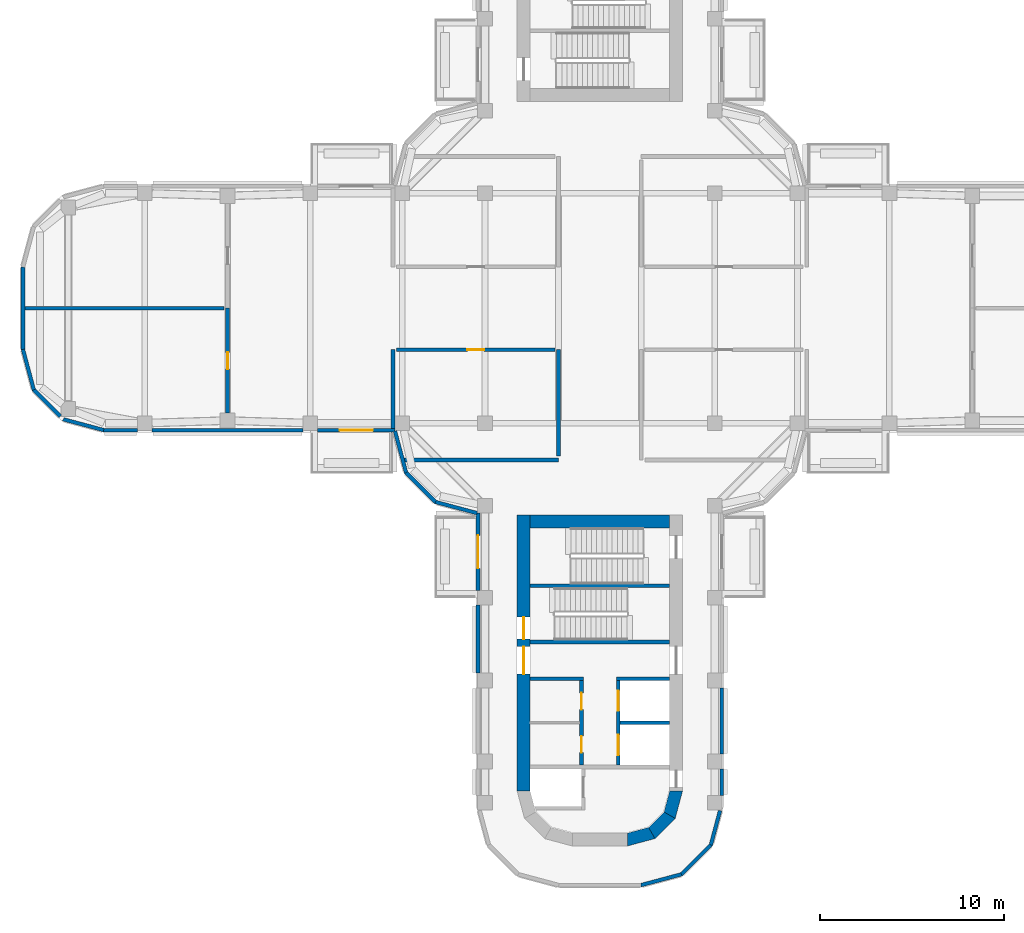
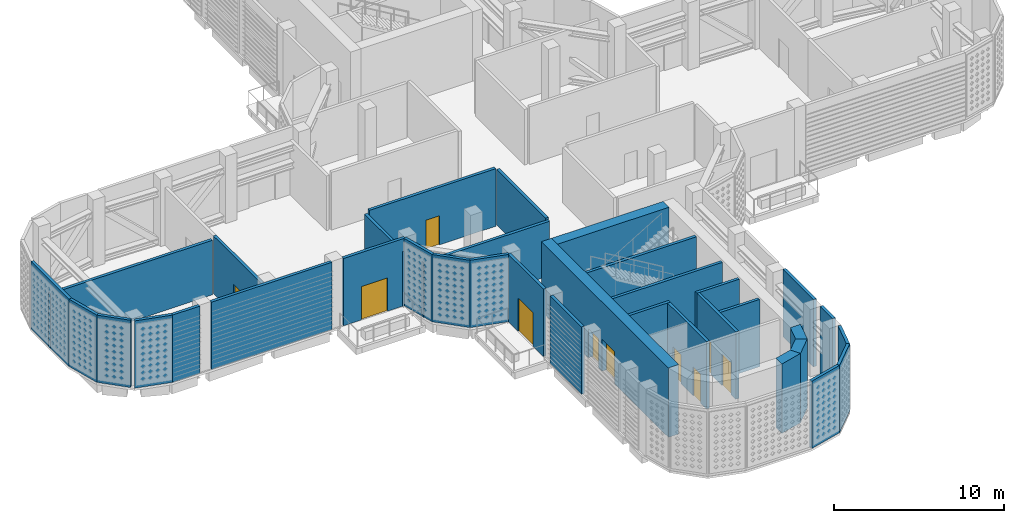
# One storey, part 5 of 21: 35 walls, 10 doors, 10 openings.
"""IFC4 building model written with IfcOpenShell, lengths in metres."""

from ifc_helpers import new_model, si_unit, direction, frame, frame_2d, origin, place, context, subcontext, project, spatial, polyline, rectangle, outline, extrude, material, layer, layer_set, type_object, element, fill, save


model = new_model("IFC4")

# Units and contexts
model_context = context("Model", 3, precision=1e-05, world=origin(), true_north=direction((0.0, 1.0)))
body_context = subcontext(model_context, "Body", "Model", "MODEL_VIEW")
ifc_project = project(units=[si_unit("LENGTHUNIT", "METRE"), si_unit("AREAUNIT", "SQUARE_METRE"), si_unit("VOLUMEUNIT", "CUBIC_METRE"), si_unit("PLANEANGLEUNIT", "RADIAN"), si_unit("MASSUNIT", "GRAM", prefix="KILO")], contexts=[model_context])

# Site, building, storey
site_placement = place(None, origin())
site = spatial("IfcSite", under=ifc_project, at=site_placement, CompositionType="ELEMENT")
building_placement = place(site_placement, origin())
building = spatial("IfcBuilding", under=site, at=building_placement, Name="Zarbagh Exchange Tower", CompositionType="ELEMENT")
storey_placement = place(building_placement, frame((0.0, 0.0, 190.39990234375)))
storey = spatial("IfcBuildingStorey", under=building, at=storey_placement, Name="L46", CompositionType="ELEMENT", Elevation=190.39990234375)

# Walls
ifc_material_1 = material(Name="Concrete block partition", Category="concrete")
ifc_layer_1 = layer(ifc_material_1, 0.199951171875)
ifc_layer_set_1 = layer_set([ifc_layer_1], Name="Fire-rated block partition 200 EI 60")
wall_type_1 = type_object("IfcWallType", Name="Fire-rated block partition 200 EI 60", PredefinedType="PARTITIONING", material=ifc_layer_set_1)
wall_1_placement = place(storey_placement, frame((-10.84814453125, -8.25, 0.0), z_axis=(0.0, 0.0, 1.0), x_axis=(1.0, 0.0, 0.0)))
element("IfcWall", 1, at=wall_1_placement, inside=storey, type_object=wall_type_1, Name="WL-L46-W007", PredefinedType="PARTITIONING", context=body_context, shape_type="SweptSolid", body=[
    extrude(rectangle(XDim=8.59814453125, YDim=0.199951171875, at=frame_2d((4.299072265625, 0.0))), origin(), (0.0, 0.0, 1.0), 3.93017578125),
])
wall_2_placement = place(storey_placement, frame((-2.25, -8.050048828125, 0.0), z_axis=(0.0, 0.0, 1.0), x_axis=(0.0, 1.0, 0.0)))
element("IfcWall", 2, at=wall_2_placement, inside=storey, type_object=wall_type_1, Name="WL-L46-W008", PredefinedType="PARTITIONING", context=body_context, shape_type="SweptSolid", body=[
    extrude(rectangle(XDim=5.800048828125, YDim=0.199951171875, at=frame_2d((2.89990234375, 0.0))), origin(), (0.0, 0.0, 1.0), 3.994384765625),
])
wall_3_placement = place(storey_placement, frame((-11.25, -6.75, 0.0), z_axis=(0.0, 0.0, 1.0), x_axis=(0.0, 1.0, 0.0)))
element("IfcWall", 3, at=wall_3_placement, inside=storey, type_object=wall_type_1, Name="WL-L46-W015", PredefinedType="PARTITIONING", context=body_context, shape_type="SweptSolid", body=[
    extrude(rectangle(XDim=4.5, YDim=0.199951171875, at=frame_2d((2.25, 0.0))), origin(), (0.0, 0.0, 1.0), 3.93017578125),
])

# Wall, opening, door
wall_4_placement = place(storey_placement, frame((-2.449951171875, -2.25, 0.0), z_axis=(0.0, 0.0, 1.0), x_axis=(-1.0, 0.0, 0.0)))
wall_4 = element("IfcWall", 4, at=wall_4_placement, inside=storey, type_object=wall_type_1, Name="WL-L46-W016", PredefinedType="PARTITIONING", context=body_context, shape_type="SweptSolid", body=[
    extrude(rectangle(XDim=8.60009765625, YDim=0.199951171875, at=frame_2d((4.300048828125, 0.0))), origin(), (0.0, 0.0, 1.0), 4.15185546875),
])
opening_1_placement = place(wall_4_placement, frame((3.85009765625, 0.0, 0.0)))
opening_1 = element("IfcOpeningElement", 5, at=opening_1_placement, cuts=wall_4, Name="Opening D04", PredefinedType="OPENING", context=body_context, shape_type="SweptSolid", body=[
    extrude(rectangle(XDim=0.89990234375, YDim=2.10009765625, at=frame_2d((0.449951171875, 1.050048828125))), frame((0.0, 0.10986328125, 0.0), z_axis=(0.0, -1.0, 0.0), x_axis=(1.0, 0.0, 0.0)), (0.0, 0.0, 1.0), 0.219970703125),
])
ifc_material_2 = material(Name="Steel door set", Category="steel")
door_type_1 = type_object("IfcDoorType", Name="Door single 900x2100 EI 60", OperationType="SINGLE_SWING_LEFT", PredefinedType="DOOR", material=ifc_material_2)
door_1_placement = place(opening_1_placement, origin())
door_1 = element("IfcDoor", 6, at=door_1_placement, inside=storey, type_object=door_type_1, Name="D04", OperationType="SINGLE_SWING_LEFT", OverallHeight=2.10009765625, OverallWidth=0.89990234375, PredefinedType="DOOR", context=body_context, shape_type="SweptSolid", body=[
    extrude(rectangle(XDim=0.89990234375, YDim=2.10009765625, at=frame_2d((0.449951171875, 1.050048828125))), frame((0.0, 0.02490234375, 0.0), z_axis=(0.0, -1.0, 0.0), x_axis=(1.0, 0.0, 0.0)), (0.0, 0.0, 1.0), 0.050048828125),
])
fill(opening_1, door_1)

wall_5_placement = place(storey_placement, frame((-20.25, -5.7099609375, 0.0), z_axis=(0.0, 0.0, 1.0), x_axis=(0.0, 1.0, 0.0)))
wall_5 = element("IfcWall", 7, at=wall_5_placement, inside=storey, type_object=wall_type_1, Name="WL-L46-W021", PredefinedType="PARTITIONING", context=body_context, shape_type="SweptSolid", body=[
    extrude(rectangle(XDim=5.7099609375, YDim=0.199951171875, at=frame_2d((2.85498046875, 0.0))), origin(), (0.0, 0.0, 1.0), 4.15185546875),
])
opening_2_placement = place(wall_5_placement, frame((2.405029296875, 0.0, 0.0)))
opening_2 = element("IfcOpeningElement", 8, at=opening_2_placement, cuts=wall_5, Name="Opening D08", PredefinedType="OPENING", context=body_context, shape_type="SweptSolid", body=[
    extrude(rectangle(XDim=0.89990234375, YDim=2.10009765625, at=frame_2d((0.449951171875, 1.050048828125))), frame((0.0, 0.10986328125, 0.0), z_axis=(0.0, -1.0, 0.0), x_axis=(1.0, 0.0, 0.0)), (0.0, 0.0, 1.0), 0.219970703125),
])
door_2_placement = place(opening_2_placement, origin())
door_2 = element("IfcDoor", 9, at=door_2_placement, inside=storey, type_object=door_type_1, Name="D08", OperationType="SINGLE_SWING_LEFT", OverallHeight=2.10009765625, OverallWidth=0.89990234375, PredefinedType="DOOR", context=body_context, shape_type="SweptSolid", body=[
    extrude(rectangle(XDim=0.89990234375, YDim=2.10009765625, at=frame_2d((0.449951171875, 1.050048828125))), frame((0.0, 0.02490234375, 0.0), z_axis=(0.0, -1.0, 0.0), x_axis=(1.0, 0.0, 0.0)), (0.0, 0.0, 1.0), 0.050048828125),
])
fill(opening_2, door_2)

# Walls
wall_6_placement = place(storey_placement, frame((-20.449951171875, 0.0, 0.0), z_axis=(0.0, 0.0, 1.0), x_axis=(-1.0, 0.0, 0.0)))
element("IfcWall", 10, at=wall_6_placement, inside=storey, type_object=wall_type_1, Name="WL-L46-W022", PredefinedType="PARTITIONING", context=body_context, shape_type="SweptSolid", body=[
    extrude(rectangle(XDim=11.050048828125, YDim=0.199951171875, at=frame_2d((5.52490234375, 0.0))), origin(), (0.0, 0.0, 1.0), 3.93017578125),
])
ifc_material_3 = material(Name="Precast concrete C50/60", Category="concrete")
ifc_layer_2 = layer(ifc_material_3, 0.199951171875)
ifc_layer_set_2 = layer_set([ifc_layer_2], Name="Plant wall, precast concrete C50/60")
wall_type_2 = type_object("IfcWallType", Name="Plant wall, precast concrete C50/60", PredefinedType="SOLIDWALL", material=ifc_layer_set_2)
wall_7_placement = place(storey_placement, origin())
element("IfcWall", 11, at=wall_7_placement, inside=storey, type_object=wall_type_2, Name="PW67 plant wall", PredefinedType="SOLIDWALL", context=body_context, shape_type="SweptSolid", body=[
    extrude(outline(polyline([(2.247314453125, -31.47998046875), (4.48974609375, -30.879150390625), (4.38623046875, -30.699951171875), (2.220947265625, -31.280029296875), (2.247314453125, -31.47998046875)])), origin(), (0.0, 0.0, 1.0), 4.85009765625),
])
wall_8_placement = place(storey_placement, origin())
element("IfcWall", 12, at=wall_8_placement, inside=storey, type_object=wall_type_2, Name="PW68 plant wall", PredefinedType="SOLIDWALL", context=body_context, shape_type="SweptSolid", body=[
    extrude(outline(polyline([(4.48974609375, -30.879150390625), (6.129150390625, -29.23974609375), (5.949951171875, -29.13623046875), (4.38623046875, -30.699951171875), (4.48974609375, -30.879150390625)])), origin(), (0.0, 0.0, 1.0), 4.85009765625),
])
wall_9_placement = place(storey_placement, origin())
element("IfcWall", 13, at=wall_9_placement, inside=storey, type_object=wall_type_2, Name="PW69 plant wall", PredefinedType="SOLIDWALL", context=body_context, shape_type="SweptSolid", body=[
    extrude(outline(polyline([(6.129150390625, -29.23974609375), (6.634765625, -27.352294921875), (6.441650390625, -27.300537109375), (5.949951171875, -29.13623046875), (6.129150390625, -29.23974609375)])), origin(), (0.0, 0.0, 1.0), 4.85009765625),
])
wall_10_placement = place(storey_placement, origin())
element("IfcWall", 14, at=wall_10_placement, inside=storey, type_object=wall_type_2, Name="PW70 plant wall", PredefinedType="SOLIDWALL", context=body_context, shape_type="SweptSolid", body=[
    extrude(outline(polyline([(6.72998046875, -26.5), (6.72998046875, -25.050048828125), (6.530029296875, -25.050048828125), (6.530029296875, -26.5), (6.72998046875, -26.5)])), origin(), (0.0, 0.0, 1.0), 4.85009765625),
])
wall_11_placement = place(storey_placement, origin())
element("IfcWall", 15, at=wall_11_placement, inside=storey, type_object=wall_type_2, Name="PW70 plant wall", PredefinedType="SOLIDWALL", context=body_context, shape_type="SweptSolid", body=[
    extrude(outline(polyline([(6.72998046875, -24.25), (6.72998046875, -20.64990234375), (6.530029296875, -20.64990234375), (6.530029296875, -24.25), (6.72998046875, -24.25)])), origin(), (0.0, 0.0, 1.0), 4.85009765625),
])
wall_12_placement = place(storey_placement, origin())
element("IfcWall", 16, at=wall_12_placement, inside=storey, type_object=wall_type_2, Name="PW75 plant wall", PredefinedType="SOLIDWALL", context=body_context, shape_type="SweptSolid", body=[
    extrude(outline(polyline([(-31.47998046875, 2.247314453125), (-31.47998046875, -2.247314453125), (-31.280029296875, -2.220947265625), (-31.280029296875, 2.220947265625), (-31.47998046875, 2.247314453125)])), origin(), (0.0, 0.0, 1.0), 4.85009765625),
])
wall_13_placement = place(storey_placement, origin())
element("IfcWall", 17, at=wall_13_placement, inside=storey, type_object=wall_type_2, Name="PW76 plant wall", PredefinedType="SOLIDWALL", context=body_context, shape_type="SweptSolid", body=[
    extrude(outline(polyline([(-31.47998046875, -2.247314453125), (-30.879150390625, -4.48974609375), (-30.699951171875, -4.38623046875), (-31.280029296875, -2.220947265625), (-31.47998046875, -2.247314453125)])), origin(), (0.0, 0.0, 1.0), 4.85009765625),
])
wall_14_placement = place(storey_placement, origin())
element("IfcWall", 18, at=wall_14_placement, inside=storey, type_object=wall_type_2, Name="PW77 plant wall", PredefinedType="SOLIDWALL", context=body_context, shape_type="SweptSolid", body=[
    extrude(outline(polyline([(-30.879150390625, -4.48974609375), (-29.418701171875, -5.9501953125), (-29.27734375, -5.80859375), (-30.699951171875, -4.38623046875), (-30.879150390625, -4.48974609375)])), origin(), (0.0, 0.0, 1.0), 4.85009765625),
])
wall_15_placement = place(storey_placement, origin())
element("IfcWall", 19, at=wall_15_placement, inside=storey, type_object=wall_type_2, Name="PW78 plant wall", PredefinedType="SOLIDWALL", context=body_context, shape_type="SweptSolid", body=[
    extrude(outline(polyline([(-29.23974609375, -6.129150390625), (-26.997314453125, -6.72998046875), (-26.970947265625, -6.530029296875), (-29.13623046875, -5.949951171875), (-29.23974609375, -6.129150390625)])), origin(), (0.0, 0.0, 1.0), 4.85009765625),
])
wall_16_placement = place(storey_placement, origin())
element("IfcWall", 20, at=wall_16_placement, inside=storey, type_object=wall_type_2, Name="PW79 plant wall", PredefinedType="SOLIDWALL", context=body_context, shape_type="SweptSolid", body=[
    extrude(outline(polyline([(-26.997314453125, -6.72998046875), (-25.14990234375, -6.72998046875), (-25.14990234375, -6.530029296875), (-26.970947265625, -6.530029296875), (-26.997314453125, -6.72998046875)])), origin(), (0.0, 0.0, 1.0), 4.85009765625),
])
wall_17_placement = place(storey_placement, origin())
element("IfcWall", 21, at=wall_17_placement, inside=storey, type_object=wall_type_2, Name="PW79 plant wall", PredefinedType="SOLIDWALL", context=body_context, shape_type="SweptSolid", body=[
    extrude(outline(polyline([(-24.35009765625, -6.72998046875), (-16.14990234375, -6.72998046875), (-16.14990234375, -6.530029296875), (-24.35009765625, -6.530029296875), (-24.35009765625, -6.72998046875)])), origin(), (0.0, 0.0, 1.0), 4.85009765625),
])
wall_18_placement = place(storey_placement, origin())
element("IfcWall", 22, at=wall_18_placement, inside=storey, type_object=wall_type_2, Name="PW41 plant wall", PredefinedType="SOLIDWALL", context=body_context, shape_type="SweptSolid", body=[
    extrude(outline(polyline([(-11.241943359375, -6.702392578125), (-10.629150390625, -8.98974609375), (-10.449951171875, -8.88623046875), (-11.048828125, -6.650634765625), (-11.241943359375, -6.702392578125)])), origin(), (0.0, 0.0, 1.0), 4.85009765625),
])
wall_19_placement = place(storey_placement, origin())
element("IfcWall", 23, at=wall_19_placement, inside=storey, type_object=wall_type_2, Name="PW42 plant wall", PredefinedType="SOLIDWALL", context=body_context, shape_type="SweptSolid", body=[
    extrude(outline(polyline([(-10.629150390625, -8.98974609375), (-8.98974609375, -10.629150390625), (-8.88623046875, -10.449951171875), (-10.449951171875, -8.88623046875), (-10.629150390625, -8.98974609375)])), origin(), (0.0, 0.0, 1.0), 4.85009765625),
])
wall_20_placement = place(storey_placement, origin())
element("IfcWall", 24, at=wall_20_placement, inside=storey, type_object=wall_type_2, Name="PW43 plant wall", PredefinedType="SOLIDWALL", context=body_context, shape_type="SweptSolid", body=[
    extrude(outline(polyline([(-8.98974609375, -10.629150390625), (-6.702392578125, -11.241943359375), (-6.650634765625, -11.048828125), (-8.88623046875, -10.449951171875), (-8.98974609375, -10.629150390625)])), origin(), (0.0, 0.0, 1.0), 4.85009765625),
])
wall_21_placement = place(storey_placement, origin())
element("IfcWall", 25, at=wall_21_placement, inside=storey, type_object=wall_type_2, Name="PW80 plant wall", PredefinedType="SOLIDWALL", context=body_context, shape_type="SweptSolid", body=[
    extrude(outline(polyline([(-6.72998046875, -16.14990234375), (-6.72998046875, -19.85009765625), (-6.530029296875, -19.85009765625), (-6.530029296875, -16.14990234375), (-6.72998046875, -16.14990234375)])), origin(), (0.0, 0.0, 1.0), 4.85009765625),
])
ifc_material_4 = material(Name="Concrete C50/60", Category="concrete")
ifc_layer_3 = layer(ifc_material_4, 0.699951171875)
ifc_layer_set_3 = layer_set([ifc_layer_3], Name="RC core corner wall 700 C50/60")
wall_type_3 = type_object("IfcWallType", Name="RC core corner wall 700 C50/60", PredefinedType="SHEAR", material=ifc_layer_set_3)
wall_22_placement = place(storey_placement, origin())
element("IfcWall", 26, at=wall_22_placement, inside=storey, type_object=wall_type_3, Name="CW6 core S corner E", PredefinedType="SHEAR", context=body_context, shape_type="SweptSolid", body=[
    extrude(outline(polyline([(4.5, -26.25), (4.09814453125, -27.75), (3.491943359375, -27.39990234375), (3.800048828125, -26.25), (4.5, -26.25)])), origin(), (0.0, 0.0, 1.0), 5.0),
])
wall_23_placement = place(storey_placement, origin())
element("IfcWall", 27, at=wall_23_placement, inside=storey, type_object=wall_type_3, Name="CW6 core S corner E", PredefinedType="SHEAR", context=body_context, shape_type="SweptSolid", body=[
    extrude(outline(polyline([(4.09814453125, -27.75), (3.0, -28.84814453125), (2.64990234375, -28.241943359375), (3.491943359375, -27.39990234375), (4.09814453125, -27.75)])), origin(), (0.0, 0.0, 1.0), 5.0),
])
wall_24_placement = place(storey_placement, origin())
element("IfcWall", 28, at=wall_24_placement, inside=storey, type_object=wall_type_3, Name="CW6 core S corner E", PredefinedType="SHEAR", context=body_context, shape_type="SweptSolid", body=[
    extrude(outline(polyline([(3.0, -28.84814453125), (1.5, -29.25), (1.5, -28.550048828125), (2.64990234375, -28.241943359375), (3.0, -28.84814453125)])), origin(), (0.0, 0.0, 1.0), 5.0),
])

# Wall, openings, doors
ifc_layer_4 = layer(ifc_material_4, 0.699951171875)
ifc_layer_set_4 = layer_set([ifc_layer_4], Name="RC core wall 700 C50/60")
wall_type_4 = type_object("IfcWallType", Name="RC core wall 700 C50/60", PredefinedType="SHEAR", material=ifc_layer_set_4)
wall_25_placement = place(storey_placement, frame((-4.14990234375, -11.25, 0.0), z_axis=(0.0, 0.0, 1.0), x_axis=(0.0, -1.0, 0.0)))
wall_25 = element("IfcWall", 29, at=wall_25_placement, inside=storey, type_object=wall_type_4, Name="CW5 core S W", PredefinedType="SHEAR", context=body_context, shape_type="SweptSolid", body=[
    extrude(rectangle(XDim=15.0, YDim=0.699951171875, at=frame_2d((7.5, 0.0))), origin(), (0.0, 0.0, 1.0), 5.0),
])
opening_3_placement = place(wall_25_placement, frame((7.14990234375, 0.0, 0.0)))
opening_3 = element("IfcOpeningElement", 30, at=opening_3_placement, cuts=wall_25, Name="Opening CD1-1500", PredefinedType="OPENING", context=body_context, shape_type="SweptSolid", body=[
    extrude(rectangle(XDim=1.5, YDim=2.300048828125, at=frame_2d((0.75, 1.14990234375))), frame((0.0, 0.35986328125, 0.0), z_axis=(0.0, -1.0, 0.0), x_axis=(1.0, 0.0, 0.0)), (0.0, 0.0, 1.0), 0.719970703125),
])
opening_4_placement = place(wall_25_placement, frame((5.550048828125, 0.0, 0.0)))
opening_4 = element("IfcOpeningElement", 31, at=opening_4_placement, cuts=wall_25, Name="Opening SD1-1200", PredefinedType="OPENING", context=body_context, shape_type="SweptSolid", body=[
    extrude(rectangle(XDim=1.199951171875, YDim=2.10009765625, at=frame_2d((0.60009765625, 1.050048828125))), frame((0.0, 0.35986328125, 0.0), z_axis=(0.0, -1.0, 0.0), x_axis=(1.0, 0.0, 0.0)), (0.0, 0.0, 1.0), 0.719970703125),
])
ifc_material_5 = material(Name="Steel", Category="steel")
door_type_2 = type_object("IfcDoorType", Name="Exit stair door 1200 x 2100", OperationType="NOTDEFINED", PredefinedType="DOOR", material=ifc_material_5)
door_3_placement = place(opening_4_placement, origin())
door_3 = element("IfcDoor", 32, at=door_3_placement, inside=storey, type_object=door_type_2, Name="South core stair door ST1", OperationType="SINGLE_SWING_RIGHT", OverallHeight=2.10009765625, OverallWidth=1.199951171875, PredefinedType="DOOR", context=body_context, shape_type="SweptSolid", body=[
    extrude(rectangle(XDim=1.199951171875, YDim=2.10009765625, at=frame_2d((0.60009765625, 1.050048828125))), frame((0.0, 0.02490234375, 0.0), z_axis=(0.0, -1.0, 0.0), x_axis=(1.0, 0.0, 0.0)), (0.0, 0.0, 1.0), 0.050048828125),
])
fill(opening_4, door_3)
door_type_3 = type_object("IfcDoorType", Name="Lift lobby double door 1500 x 2300", OperationType="NOTDEFINED", PredefinedType="DOOR", material=ifc_material_5)
door_4_placement = place(opening_3_placement, origin())
door_4 = element("IfcDoor", 33, at=door_4_placement, inside=storey, type_object=door_type_3, Name="South core lift lobby door LOBBY-E", OperationType="DOUBLE_DOOR_SINGLE_SWING", OverallHeight=2.300048828125, OverallWidth=1.5, PredefinedType="DOOR", context=body_context, shape_type="SweptSolid", body=[
    extrude(rectangle(XDim=1.5, YDim=2.300048828125, at=frame_2d((0.75, 1.14990234375))), frame((0.0, 0.02490234375, 0.0), z_axis=(0.0, -1.0, 0.0), x_axis=(1.0, 0.0, 0.0)), (0.0, 0.0, 1.0), 0.050048828125),
])
fill(opening_3, door_4)

# Walls
wall_26_placement = place(storey_placement, frame((-3.800048828125, -11.60009765625, 0.0), z_axis=(0.0, 0.0, 1.0), x_axis=(1.0, 0.0, 0.0)))
element("IfcWall", 34, at=wall_26_placement, inside=storey, type_object=wall_type_4, Name="CW5 core S inner end", PredefinedType="SHEAR", context=body_context, shape_type="SweptSolid", body=[
    extrude(rectangle(XDim=7.60009765625, YDim=0.699951171875, at=frame_2d((3.800048828125, 0.0))), origin(), (0.0, 0.0, 1.0), 5.0),
])
ifc_material_6 = material(Name="Dense blockwork", Category="masonry")
ifc_layer_5 = layer(ifc_material_6, 0.199951171875)
ifc_layer_set_5 = layer_set([ifc_layer_5], Name="Shaft wall 200 mm blockwork")
wall_type_5 = type_object("IfcWallType", Name="Shaft wall 200 mm blockwork", PredefinedType="PARTITIONING", material=ifc_layer_set_5)
wall_27_placement = place(storey_placement, frame((3.800048828125, -20.14990234375, 0.0), z_axis=(0.0, 0.0, 1.0), x_axis=(-1.0, 0.0, 0.0)))
element("IfcWall", 35, at=wall_27_placement, inside=storey, type_object=wall_type_5, Name="South core shaft wall AB-W", PredefinedType="PARTITIONING", context=body_context, shape_type="SweptSolid", body=[
    extrude(rectangle(XDim=2.900146484375, YDim=0.199951171875, at=frame_2d((1.4501953125, 0.0))), origin(), (0.0, 0.0, 1.0), 4.85009765625),
])

# Wall, openings, doors
wall_28_placement = place(storey_placement, frame((1.0, -24.85009765625, 0.0), z_axis=(0.0, 0.0, 1.0), x_axis=(0.0, 1.0, 0.0)))
wall_28 = element("IfcWall", 36, at=wall_28_placement, inside=storey, type_object=wall_type_5, Name="South core shaft wall LW-W", PredefinedType="PARTITIONING", context=body_context, shape_type="SweptSolid", body=[
    extrude(rectangle(XDim=4.60009765625, YDim=0.199951171875, at=frame_2d((2.300048828125, 0.0))), origin(), (0.0, 0.0, 1.0), 4.85009765625),
])
opening_5_placement = place(wall_28_placement, frame((0.550048828125, 0.0, 0.0)))
opening_5 = element("IfcOpeningElement", 37, at=opening_5_placement, cuts=wall_28, Name="Opening LD-1100", PredefinedType="OPENING", context=body_context, shape_type="SweptSolid", body=[
    extrude(rectangle(XDim=1.10009765625, YDim=2.300048828125, at=frame_2d((0.550048828125, 1.14990234375))), frame((0.0, 0.10986328125, 0.0), z_axis=(0.0, -1.0, 0.0), x_axis=(1.0, 0.0, 0.0)), (0.0, 0.0, 1.0), 0.219970703125),
])
opening_6_placement = place(wall_28_placement, frame((2.949951171875, 0.0, 0.0)))
opening_6 = element("IfcOpeningElement", 38, at=opening_6_placement, cuts=wall_28, Name="Opening LD-1100", PredefinedType="OPENING", context=body_context, shape_type="SweptSolid", body=[
    extrude(rectangle(XDim=1.10009765625, YDim=2.300048828125, at=frame_2d((0.550048828125, 1.14990234375))), frame((0.0, 0.10986328125, 0.0), z_axis=(0.0, -1.0, 0.0), x_axis=(1.0, 0.0, 0.0)), (0.0, 0.0, 1.0), 0.219970703125),
])
ifc_material_7 = material(Name="Stainless steel", Category="steel")
door_type_4 = type_object("IfcDoorType", Name="Lift landing door 1100 x 2300", OperationType="NOTDEFINED", PredefinedType="DOOR", material=ifc_material_7)
door_5_placement = place(opening_5_placement, origin())
door_5 = element("IfcDoor", 39, at=door_5_placement, inside=storey, type_object=door_type_4, Name="South core lift landing door LD-P-S1", OperationType="DOUBLE_DOOR_SLIDING", OverallHeight=2.300048828125, OverallWidth=1.10009765625, PredefinedType="DOOR", context=body_context, shape_type="SweptSolid", body=[
    extrude(rectangle(XDim=1.10009765625, YDim=2.300048828125, at=frame_2d((0.550048828125, 1.14990234375))), frame((0.0, 0.02490234375, 0.0), z_axis=(0.0, -1.0, 0.0), x_axis=(1.0, 0.0, 0.0)), (0.0, 0.0, 1.0), 0.050048828125),
])
fill(opening_5, door_5)
door_6_placement = place(opening_6_placement, origin())
door_6 = element("IfcDoor", 40, at=door_6_placement, inside=storey, type_object=door_type_4, Name="South core lift landing door LD-P-S2", OperationType="DOUBLE_DOOR_SLIDING", OverallHeight=2.300048828125, OverallWidth=1.10009765625, PredefinedType="DOOR", context=body_context, shape_type="SweptSolid", body=[
    extrude(rectangle(XDim=1.10009765625, YDim=2.300048828125, at=frame_2d((0.550048828125, 1.14990234375))), frame((0.0, 0.02490234375, 0.0), z_axis=(0.0, -1.0, 0.0), x_axis=(1.0, 0.0, 0.0)), (0.0, 0.0, 1.0), 0.050048828125),
])
fill(opening_6, door_6)

# Wall
wall_29_placement = place(storey_placement, frame((-0.89990234375, -20.14990234375, 0.0), z_axis=(0.0, 0.0, 1.0), x_axis=(-1.0, 0.0, 0.0)))
element("IfcWall", 41, at=wall_29_placement, inside=storey, type_object=wall_type_5, Name="South core shaft wall AB-E", PredefinedType="PARTITIONING", context=body_context, shape_type="SweptSolid", body=[
    extrude(rectangle(XDim=2.900146484375, YDim=0.199951171875, at=frame_2d((1.4501953125, 0.0))), origin(), (0.0, 0.0, 1.0), 4.85009765625),
])

# Wall, openings, doors
wall_30_placement = place(storey_placement, frame((-1.0, -24.85009765625, 0.0), z_axis=(0.0, 0.0, 1.0), x_axis=(0.0, 1.0, 0.0)))
wall_30 = element("IfcWall", 42, at=wall_30_placement, inside=storey, type_object=wall_type_5, Name="South core shaft wall LW-E", PredefinedType="PARTITIONING", context=body_context, shape_type="SweptSolid", body=[
    extrude(rectangle(XDim=4.60009765625, YDim=0.199951171875, at=frame_2d((2.300048828125, 0.0))), origin(), (0.0, 0.0, 1.0), 4.85009765625),
])
opening_7_placement = place(wall_30_placement, frame((0.675048828125, 0.0, 0.0)))
opening_7 = element("IfcOpeningElement", 43, at=opening_7_placement, cuts=wall_30, Name="Opening CD3-900", PredefinedType="OPENING", context=body_context, shape_type="SweptSolid", body=[
    extrude(rectangle(XDim=0.89990234375, YDim=2.10009765625, at=frame_2d((0.449951171875, 1.050048828125))), frame((0.0, 0.10986328125, 0.0), z_axis=(0.0, -1.0, 0.0), x_axis=(1.0, 0.0, 0.0)), (0.0, 0.0, 1.0), 0.219970703125),
])
opening_8_placement = place(wall_30_placement, frame((3.02490234375, 0.0, 0.0)))
opening_8 = element("IfcOpeningElement", 44, at=opening_8_placement, cuts=wall_30, Name="Opening CD3-900", PredefinedType="OPENING", context=body_context, shape_type="SweptSolid", body=[
    extrude(rectangle(XDim=0.89990234375, YDim=2.10009765625, at=frame_2d((0.449951171875, 1.050048828125))), frame((0.0, 0.10986328125, 0.0), z_axis=(0.0, -1.0, 0.0), x_axis=(1.0, 0.0, 0.0)), (0.0, 0.0, 1.0), 0.219970703125),
])
door_type_5 = type_object("IfcDoorType", Name="Core room door 900 x 2100", OperationType="NOTDEFINED", PredefinedType="DOOR", material=ifc_material_5)
door_7_placement = place(opening_7_placement, origin())
door_7 = element("IfcDoor", 45, at=door_7_placement, inside=storey, type_object=door_type_5, Name="South core Plant room door RD-E-0", OperationType="SINGLE_SWING_RIGHT", OverallHeight=2.10009765625, OverallWidth=0.89990234375, PredefinedType="DOOR", context=body_context, shape_type="SweptSolid", body=[
    extrude(rectangle(XDim=0.89990234375, YDim=2.10009765625, at=frame_2d((0.449951171875, 1.050048828125))), frame((0.0, 0.02490234375, 0.0), z_axis=(0.0, -1.0, 0.0), x_axis=(1.0, 0.0, 0.0)), (0.0, 0.0, 1.0), 0.050048828125),
])
fill(opening_7, door_7)
door_8_placement = place(opening_8_placement, origin())
door_8 = element("IfcDoor", 46, at=door_8_placement, inside=storey, type_object=door_type_5, Name="South core Switch room door RD-E-1", OperationType="SINGLE_SWING_LEFT", OverallHeight=2.10009765625, OverallWidth=0.89990234375, PredefinedType="DOOR", context=body_context, shape_type="SweptSolid", body=[
    extrude(rectangle(XDim=0.89990234375, YDim=2.10009765625, at=frame_2d((0.449951171875, 1.050048828125))), frame((0.0, 0.02490234375, 0.0), z_axis=(0.0, -1.0, 0.0), x_axis=(1.0, 0.0, 0.0)), (0.0, 0.0, 1.0), 0.050048828125),
])
fill(opening_8, door_8)

# Walls
wall_31_placement = place(storey_placement, frame((3.800048828125, -22.550048828125, 0.0), z_axis=(0.0, 0.0, 1.0), x_axis=(-1.0, 0.0, 0.0)))
element("IfcWall", 47, at=wall_31_placement, inside=storey, type_object=wall_type_5, Name="South core shaft wall TR-W", PredefinedType="PARTITIONING", context=body_context, shape_type="SweptSolid", body=[
    extrude(rectangle(XDim=2.699951171875, YDim=0.199951171875, at=frame_2d((1.35009765625, 0.0))), origin(), (0.0, 0.0, 1.0), 4.85009765625),
])
ifc_material_8 = material(Name="Concrete C40/50", Category="concrete")
ifc_layer_6 = layer(ifc_material_8, 0.199951171875)
ifc_layer_set_6 = layer_set([ifc_layer_6], Name="Stair enclosure wall 200 mm RC C40/50")
wall_type_6 = type_object("IfcWallType", Name="Stair enclosure wall 200 mm RC C40/50", PredefinedType="SHEAR", material=ifc_layer_set_6)
for number, where, z_axis, x_axis, name in (
    (48, (3.800048828125, -18.14990234375, 0.0), (0.0, 0.0, 1.0), (-1.0, 0.0, 0.0), "South core stair wall BS"),
    (49, (3.800048828125, -15.10009765625, 0.0), (0.0, 0.0, 1.0), (-1.0, 0.0, 0.0), "South core stair wall ST12"),
):
    element("IfcWall", number, at=place(storey_placement, frame(where, z_axis=z_axis, x_axis=x_axis)), inside=storey, type_object=wall_type_6, Name=name, PredefinedType="SHEAR", context=body_context, shape_type="SweptSolid", body=[
        extrude(rectangle(XDim=7.60009765625, YDim=0.199951171875, at=frame_2d((3.800048828125, 0.0))), origin(), (0.0, 0.0, 1.0), 4.85009765625),
    ])

# Wall, opening, door
ifc_layer_7 = layer(ifc_material_3, 0.199951171875)
ifc_layer_set_7 = layer_set([ifc_layer_7], Name="Terrace door wall, precast concrete C50/60")
wall_type_7 = type_object("IfcWallType", Name="Terrace door wall, precast concrete C50/60", PredefinedType="SOLIDWALL", material=ifc_layer_set_7)
wall_32_placement = place(storey_placement, frame((-15.35009765625, -6.6298828125, 0.0), z_axis=(0.0, 0.0, 1.0), x_axis=(1.0, 0.0, 0.0)))
wall_32 = element("IfcWall", 50, at=wall_32_placement, inside=storey, type_object=wall_type_7, Name="TW52 door wall", PredefinedType="SOLIDWALL", context=body_context, shape_type="SweptSolid", body=[
    extrude(rectangle(XDim=4.2001953125, YDim=0.199951171875, at=frame_2d((2.10009765625, 0.0))), origin(), (0.0, 0.0, 1.0), 4.85009765625),
])
opening_9_placement = place(wall_32_placement, frame((1.199951171875, 0.0, 0.0)))
opening_9 = element("IfcOpeningElement", 51, at=opening_9_placement, cuts=wall_32, Name="Opening TD02", PredefinedType="OPENING", context=body_context, shape_type="SweptSolid", body=[
    extrude(rectangle(XDim=1.800048828125, YDim=2.39990234375, at=frame_2d((0.89990234375, 1.199951171875))), frame((0.0, 0.10986328125, 0.0), z_axis=(0.0, -1.0, 0.0), x_axis=(1.0, 0.0, 0.0)), (0.0, 0.0, 1.0), 0.219970703125),
])
ifc_material_9 = material(Name="Anodised aluminium and glass", Category="aluminium")
door_type_6 = type_object("IfcDoorType", Name="Terrace door, double leaf, aluminium and glass", OperationType="DOUBLE_DOOR_DOUBLE_SWING", PredefinedType="DOOR", material=ifc_material_9)
door_9_placement = place(opening_9_placement, origin())
door_9 = element("IfcDoor", 52, at=door_9_placement, inside=storey, type_object=door_type_6, Name="TD02 terrace door", OperationType="SINGLE_SWING_LEFT", OverallHeight=2.39990234375, OverallWidth=1.800048828125, PredefinedType="DOOR", context=body_context, shape_type="SweptSolid", body=[
    extrude(rectangle(XDim=1.800048828125, YDim=2.39990234375, at=frame_2d((0.89990234375, 1.199951171875))), frame((0.0, 0.02490234375, 0.0), z_axis=(0.0, -1.0, 0.0), x_axis=(1.0, 0.0, 0.0)), (0.0, 0.0, 1.0), 0.050048828125),
])
fill(opening_9, door_9)

wall_33_placement = place(storey_placement, frame((-6.6298828125, -11.14990234375, 0.0), z_axis=(0.0, 0.0, 1.0), x_axis=(0.0, -1.0, 0.0)))
wall_33 = element("IfcWall", 53, at=wall_33_placement, inside=storey, type_object=wall_type_7, Name="TW53 door wall", PredefinedType="SOLIDWALL", context=body_context, shape_type="SweptSolid", body=[
    extrude(rectangle(XDim=4.2001953125, YDim=0.199951171875, at=frame_2d((2.10009765625, 0.0))), origin(), (0.0, 0.0, 1.0), 4.85009765625),
])
opening_10_placement = place(wall_33_placement, frame((1.199951171875, 0.0, 0.0)))
opening_10 = element("IfcOpeningElement", 54, at=opening_10_placement, cuts=wall_33, Name="Opening TD02", PredefinedType="OPENING", context=body_context, shape_type="SweptSolid", body=[
    extrude(rectangle(XDim=1.800048828125, YDim=2.39990234375, at=frame_2d((0.89990234375, 1.199951171875))), frame((0.0, 0.10986328125, 0.0), z_axis=(0.0, -1.0, 0.0), x_axis=(1.0, 0.0, 0.0)), (0.0, 0.0, 1.0), 0.219970703125),
])
door_10_placement = place(opening_10_placement, origin())
door_10 = element("IfcDoor", 55, at=door_10_placement, inside=storey, type_object=door_type_6, Name="TD02 terrace door", OperationType="SINGLE_SWING_LEFT", OverallHeight=2.39990234375, OverallWidth=1.800048828125, PredefinedType="DOOR", context=body_context, shape_type="SweptSolid", body=[
    extrude(rectangle(XDim=1.800048828125, YDim=2.39990234375, at=frame_2d((0.89990234375, 1.199951171875))), frame((0.0, 0.02490234375, 0.0), z_axis=(0.0, -1.0, 0.0), x_axis=(1.0, 0.0, 0.0)), (0.0, 0.0, 1.0), 0.050048828125),
])
fill(opening_10, door_10)

save(model, "model.ifc")
